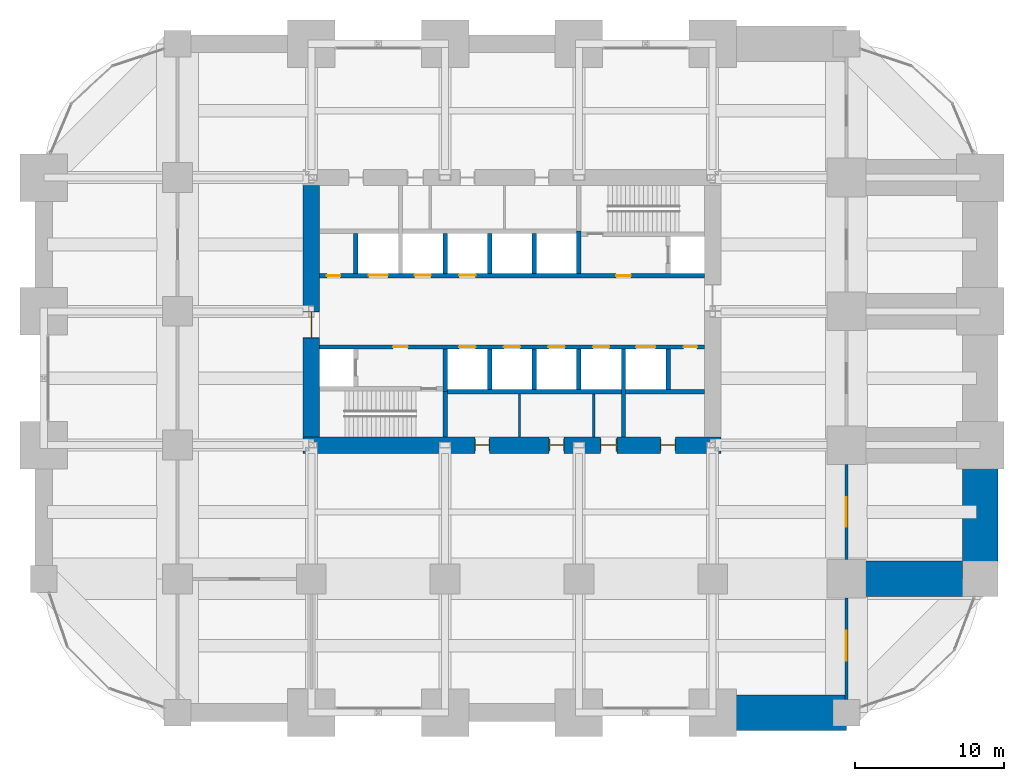
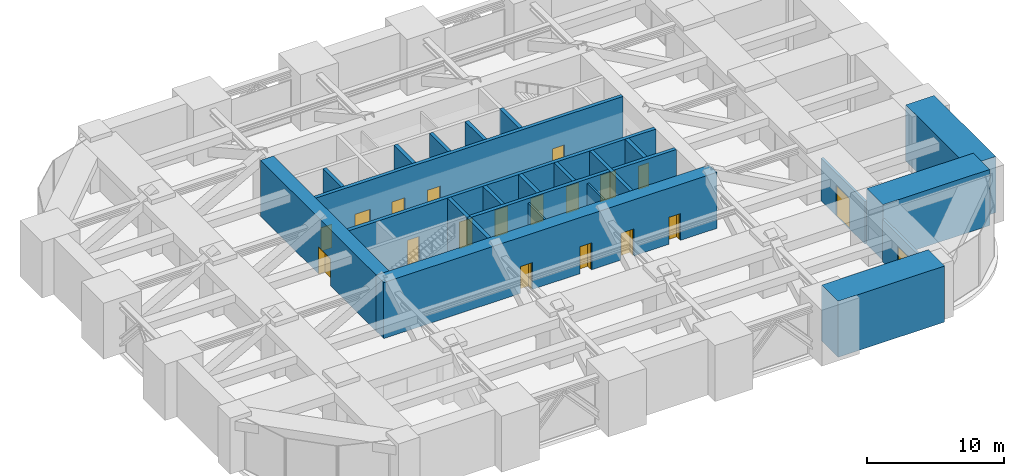
# One storey, part 36 of 38: 24 walls, 19 doors, 19 openings.
"""IFC4 building model written with IfcOpenShell, lengths in metres."""

from ifc_helpers import new_model, si_unit, direction, frame, frame_2d, origin, place, context, subcontext, project, spatial, rectangle, extrude, material, layer, layer_set, type_object, element, fill, save


model = new_model("IFC4")

# Units and contexts
model_context = context("Model", 3, precision=1e-05, world=origin(), true_north=direction((0.0, 1.0)))
body_context = subcontext(model_context, "Body", "Model", "MODEL_VIEW")
ifc_project = project(units=[si_unit("LENGTHUNIT", "METRE"), si_unit("AREAUNIT", "SQUARE_METRE"), si_unit("VOLUMEUNIT", "CUBIC_METRE"), si_unit("PLANEANGLEUNIT", "RADIAN"), si_unit("MASSUNIT", "GRAM", prefix="KILO")], contexts=[model_context])

# Site, building, storey
site_placement = place(None, origin())
site = spatial("IfcSite", under=ifc_project, at=site_placement, CompositionType="ELEMENT")
building_placement = place(site_placement, origin())
building = spatial("IfcBuilding", under=site, at=building_placement, Name="Zorevar Civic Tower", CompositionType="ELEMENT")
storey_placement = place(building_placement, frame((0.0, 0.0, 157.199951171875)))
storey = spatial("IfcBuildingStorey", under=building, at=storey_placement, Name="L38", CompositionType="ELEMENT", Elevation=157.199951171875)

# Wall, opening, door
ifc_material_1 = material(Name="Concrete blockwork", Category="masonry")
ifc_layer_1 = layer(ifc_material_1, 0.199951171875)
ifc_layer_set_1 = layer_set([ifc_layer_1], Name="Blockwork wall 200")
wall_type_1 = type_object("IfcWallType", Name="Blockwork wall 200", PredefinedType="SOLIDWALL", material=ifc_layer_set_1)
wall_1_placement = place(storey_placement, frame((54.0, 0.89990234375, 0.0), z_axis=(0.0, 0.0, 1.0), x_axis=(0.0, 1.0, 0.0)))
wall_1 = element("IfcWall", 1, at=wall_1_placement, inside=storey, type_object=wall_type_1, Name="Blockwork wall 200 L38", PredefinedType="SOLIDWALL", context=body_context, shape_type="SweptSolid", body=[
    extrude(rectangle(XDim=6.800048828125, YDim=0.199951171875, at=frame_2d((3.39990234375, 0.0))), origin(), (0.0, 0.0, 1.0), 3.800048828125),
])
opening_1_placement = place(wall_1_placement, frame((2.60009765625, 0.0, 0.0)))
opening_1 = element("IfcOpeningElement", 2, at=opening_1_placement, cuts=wall_1, Name="Opening L38.18", PredefinedType="OPENING", context=body_context, shape_type="SweptSolid", body=[
    extrude(rectangle(XDim=2.0, YDim=2.699951171875, at=frame_2d((1.0, 1.35009765625))), frame((0.0, 0.10986328125, 0.0), z_axis=(0.0, -1.0, 0.0), x_axis=(1.0, 0.0, 0.0)), (0.0, 0.0, 1.0), 0.219970703125),
])
ifc_material_2 = material(Name="Steel door set", Category="steel")
door_type_1 = type_object("IfcDoorType", Name="Plant room door PD1 2000x2700", OperationType="DOUBLE_DOOR_SINGLE_SWING", PredefinedType="DOOR", material=ifc_material_2)
door_1_placement = place(opening_1_placement, origin())
door_1 = element("IfcDoor", 3, at=door_1_placement, inside=storey, type_object=door_type_1, Name="Door L38 D10", OperationType="DOUBLE_DOOR_SINGLE_SWING", OverallHeight=2.699951171875, OverallWidth=2.0, PredefinedType="DOOR", context=body_context, shape_type="SweptSolid", body=[
    extrude(rectangle(XDim=2.0, YDim=2.699951171875, at=frame_2d((1.0, 1.35009765625))), frame((0.0, 0.030029296875, 0.0), z_axis=(0.0, -1.0, 0.0), x_axis=(1.0, 0.0, 0.0)), (0.0, 0.0, 1.0), 0.06005859375),
])
fill(opening_1, door_1)

wall_2_placement = place(storey_placement, frame((54.0, 10.300048828125, 0.0), z_axis=(0.0, 0.0, 1.0), x_axis=(0.0, 1.0, 0.0)))
wall_2 = element("IfcWall", 4, at=wall_2_placement, inside=storey, type_object=wall_type_1, Name="Blockwork wall 200 L38", PredefinedType="SOLIDWALL", context=body_context, shape_type="SweptSolid", body=[
    extrude(rectangle(XDim=6.39990234375, YDim=0.199951171875, at=frame_2d((3.199951171875, 0.0))), origin(), (0.0, 0.0, 1.0), 3.800048828125),
])
opening_2_placement = place(wall_2_placement, frame((2.199951171875, 0.0, 0.0)))
opening_2 = element("IfcOpeningElement", 5, at=opening_2_placement, cuts=wall_2, Name="Opening L38.19", PredefinedType="OPENING", context=body_context, shape_type="SweptSolid", body=[
    extrude(rectangle(XDim=2.0, YDim=2.699951171875, at=frame_2d((1.0, 1.35009765625))), frame((0.0, 0.10986328125, 0.0), z_axis=(0.0, -1.0, 0.0), x_axis=(1.0, 0.0, 0.0)), (0.0, 0.0, 1.0), 0.219970703125),
])
door_2_placement = place(opening_2_placement, origin())
door_2 = element("IfcDoor", 6, at=door_2_placement, inside=storey, type_object=door_type_1, Name="Door L38 D11", OperationType="DOUBLE_DOOR_SINGLE_SWING", OverallHeight=2.699951171875, OverallWidth=2.0, PredefinedType="DOOR", context=body_context, shape_type="SweptSolid", body=[
    extrude(rectangle(XDim=2.0, YDim=2.699951171875, at=frame_2d((1.0, 1.35009765625))), frame((0.0, 0.030029296875, 0.0), z_axis=(0.0, -1.0, 0.0), x_axis=(1.0, 0.0, 0.0)), (0.0, 0.0, 1.0), 0.06005859375),
])
fill(opening_2, door_2)

# Wall, openings, doors
ifc_material_3 = material(Name="Concrete C50/60", Category="concrete")
ifc_layer_2 = layer(ifc_material_3, 1.10009765625)
ifc_layer_set_2 = layer_set([ifc_layer_2], Name="Core wall 1100")
wall_type_2 = type_object("IfcWallType", Name="Core wall 1100", PredefinedType="SHEAR", material=ifc_layer_set_2)
wall_3_placement = place(storey_placement, frame((17.449951171875, 18.0, 0.0), z_axis=(0.0, 0.0, 1.0), x_axis=(1.0, 0.0, 0.0)))
wall_3 = element("IfcWall", 7, at=wall_3_placement, inside=storey, type_object=wall_type_2, Name="Core wall S L38", PredefinedType="SHEAR", context=body_context, shape_type="SweptSolid", body=[
    extrude(rectangle(XDim=28.10009765625, YDim=1.10009765625, at=frame_2d((14.050048828125, 0.0))), origin(), (0.0, 0.0, 1.0), 5.0),
])
opening_3_placement = place(wall_3_placement, frame((11.550048828125, 0.0, 0.0)))
opening_3 = element("IfcOpeningElement", 8, at=opening_3_placement, cuts=wall_3, Name="Opening L38.03", PredefinedType="OPENING", context=body_context, shape_type="SweptSolid", body=[
    extrude(rectangle(XDim=1.0, YDim=2.39990234375, at=frame_2d((0.5, 1.199951171875))), frame((0.0, 0.56005859375, 0.0), z_axis=(0.0, -1.0, 0.0), x_axis=(1.0, 0.0, 0.0)), (0.0, 0.0, 1.0), 1.1201171875),
])
opening_4_placement = place(wall_3_placement, frame((16.550048828125, 0.0, 0.0)))
opening_4 = element("IfcOpeningElement", 9, at=opening_4_placement, cuts=wall_3, Name="Opening L38.04", PredefinedType="OPENING", context=body_context, shape_type="SweptSolid", body=[
    extrude(rectangle(XDim=1.0, YDim=2.39990234375, at=frame_2d((0.5, 1.199951171875))), frame((0.0, 0.56005859375, 0.0), z_axis=(0.0, -1.0, 0.0), x_axis=(1.0, 0.0, 0.0)), (0.0, 0.0, 1.0), 1.1201171875),
])
opening_5_placement = place(wall_3_placement, frame((20.0, 0.0, 0.0)))
opening_5 = element("IfcOpeningElement", 10, at=opening_5_placement, cuts=wall_3, Name="Opening L38.05", PredefinedType="OPENING", context=body_context, shape_type="SweptSolid", body=[
    extrude(rectangle(XDim=1.10009765625, YDim=2.39990234375, at=frame_2d((0.550048828125, 1.199951171875))), frame((0.0, 0.56005859375, 0.0), z_axis=(0.0, -1.0, 0.0), x_axis=(1.0, 0.0, 0.0)), (0.0, 0.0, 1.0), 1.1201171875),
])
opening_6_placement = place(wall_3_placement, frame((24.050048828125, 0.0, 0.0)))
opening_6 = element("IfcOpeningElement", 11, at=opening_6_placement, cuts=wall_3, Name="Opening L38.06", PredefinedType="OPENING", context=body_context, shape_type="SweptSolid", body=[
    extrude(rectangle(XDim=1.0, YDim=2.39990234375, at=frame_2d((0.5, 1.199951171875))), frame((0.0, 0.56005859375, 0.0), z_axis=(0.0, -1.0, 0.0), x_axis=(1.0, 0.0, 0.0)), (0.0, 0.0, 1.0), 1.1201171875),
])
ifc_material_4 = material(Name="Timber door set", Category="wood")
door_type_2 = type_object("IfcDoorType", Name="Door D1 1000x2400", OperationType="SINGLE_SWING_LEFT", PredefinedType="DOOR", material=ifc_material_4)
door_3_placement = place(opening_3_placement, origin())
door_3 = element("IfcDoor", 12, at=door_3_placement, inside=storey, type_object=door_type_2, Name="Door L38 02", OperationType="SINGLE_SWING_LEFT", OverallHeight=2.39990234375, OverallWidth=1.0, PredefinedType="DOOR", context=body_context, shape_type="SweptSolid", body=[
    extrude(rectangle(XDim=1.0, YDim=2.39990234375, at=frame_2d((0.5, 1.199951171875))), frame((0.0, 0.02490234375, 0.0), z_axis=(0.0, -1.0, 0.0), x_axis=(1.0, 0.0, 0.0)), (0.0, 0.0, 1.0), 0.050048828125),
    extrude(rectangle(XDim=0.04, YDim=2.39990234375, at=frame_2d((0.02001953125, 1.199951171875))), frame((0.0, 0.39990234375, 0.0), z_axis=(0.0, -1.0, 0.0), x_axis=(1.0, 0.0, 0.0)), (0.0, 0.0, 1.0), 0.800048828125),
    extrude(rectangle(XDim=0.04, YDim=2.39990234375, at=frame_2d((0.97998046875, 1.199951171875))), frame((0.0, 0.39990234375, 0.0), z_axis=(0.0, -1.0, 0.0), x_axis=(1.0, 0.0, 0.0)), (0.0, 0.0, 1.0), 0.800048828125),
    extrude(rectangle(XDim=1.0, YDim=0.04, at=frame_2d((0.5, 2.3798828125))), frame((0.0, 0.39990234375, 0.0), z_axis=(0.0, -1.0, 0.0), x_axis=(1.0, 0.0, 0.0)), (0.0, 0.0, 1.0), 0.800048828125),
])
fill(opening_3, door_3)
door_4_placement = place(opening_4_placement, origin())
door_4 = element("IfcDoor", 13, at=door_4_placement, inside=storey, type_object=door_type_2, Name="Door L38 03", OperationType="SINGLE_SWING_RIGHT", OverallHeight=2.39990234375, OverallWidth=1.0, PredefinedType="DOOR", context=body_context, shape_type="SweptSolid", body=[
    extrude(rectangle(XDim=1.0, YDim=2.39990234375, at=frame_2d((0.5, 1.199951171875))), frame((0.0, 0.02490234375, 0.0), z_axis=(0.0, -1.0, 0.0), x_axis=(1.0, 0.0, 0.0)), (0.0, 0.0, 1.0), 0.050048828125),
    extrude(rectangle(XDim=0.04, YDim=2.39990234375, at=frame_2d((0.02001953125, 1.199951171875))), frame((0.0, 0.39990234375, 0.0), z_axis=(0.0, -1.0, 0.0), x_axis=(1.0, 0.0, 0.0)), (0.0, 0.0, 1.0), 0.800048828125),
    extrude(rectangle(XDim=0.04, YDim=2.39990234375, at=frame_2d((0.97998046875, 1.199951171875))), frame((0.0, 0.39990234375, 0.0), z_axis=(0.0, -1.0, 0.0), x_axis=(1.0, 0.0, 0.0)), (0.0, 0.0, 1.0), 0.800048828125),
    extrude(rectangle(XDim=1.0, YDim=0.04, at=frame_2d((0.5, 2.3798828125))), frame((0.0, 0.39990234375, 0.0), z_axis=(0.0, -1.0, 0.0), x_axis=(1.0, 0.0, 0.0)), (0.0, 0.0, 1.0), 0.800048828125),
])
fill(opening_4, door_4)
door_5_placement = place(opening_6_placement, origin())
door_5 = element("IfcDoor", 14, at=door_5_placement, inside=storey, type_object=door_type_2, Name="Door L38 05", OperationType="SINGLE_SWING_RIGHT", OverallHeight=2.39990234375, OverallWidth=1.0, PredefinedType="DOOR", context=body_context, shape_type="SweptSolid", body=[
    extrude(rectangle(XDim=1.0, YDim=2.39990234375, at=frame_2d((0.5, 1.199951171875))), frame((0.0, 0.02490234375, 0.0), z_axis=(0.0, -1.0, 0.0), x_axis=(1.0, 0.0, 0.0)), (0.0, 0.0, 1.0), 0.050048828125),
    extrude(rectangle(XDim=0.04, YDim=2.39990234375, at=frame_2d((0.02001953125, 1.199951171875))), frame((0.0, 0.39990234375, 0.0), z_axis=(0.0, -1.0, 0.0), x_axis=(1.0, 0.0, 0.0)), (0.0, 0.0, 1.0), 0.800048828125),
    extrude(rectangle(XDim=0.04, YDim=2.39990234375, at=frame_2d((0.97998046875, 1.199951171875))), frame((0.0, 0.39990234375, 0.0), z_axis=(0.0, -1.0, 0.0), x_axis=(1.0, 0.0, 0.0)), (0.0, 0.0, 1.0), 0.800048828125),
    extrude(rectangle(XDim=1.0, YDim=0.04, at=frame_2d((0.5, 2.3798828125))), frame((0.0, 0.39990234375, 0.0), z_axis=(0.0, -1.0, 0.0), x_axis=(1.0, 0.0, 0.0)), (0.0, 0.0, 1.0), 0.800048828125),
])
fill(opening_6, door_5)
ifc_material_5 = material(Name="Timber door set", Category="wood")
door_type_3 = type_object("IfcDoorType", Name="Door D5 1100x2400", OperationType="SINGLE_SWING_LEFT", PredefinedType="DOOR", material=ifc_material_5)
door_6_placement = place(opening_5_placement, origin())
door_6 = element("IfcDoor", 15, at=door_6_placement, inside=storey, type_object=door_type_3, Name="Door L38 04", OperationType="SINGLE_SWING_RIGHT", OverallHeight=2.39990234375, OverallWidth=1.10009765625, PredefinedType="DOOR", context=body_context, shape_type="SweptSolid", body=[
    extrude(rectangle(XDim=1.10009765625, YDim=2.39990234375, at=frame_2d((0.550048828125, 1.199951171875))), frame((0.0, 0.02490234375, 0.0), z_axis=(0.0, -1.0, 0.0), x_axis=(1.0, 0.0, 0.0)), (0.0, 0.0, 1.0), 0.050048828125),
    extrude(rectangle(XDim=0.04, YDim=2.39990234375, at=frame_2d((0.02001953125, 1.199951171875))), frame((0.0, 0.43994140625, 0.0), z_axis=(0.0, -1.0, 0.0), x_axis=(1.0, 0.0, 0.0)), (0.0, 0.0, 1.0), 0.880126953125),
    extrude(rectangle(XDim=0.04, YDim=2.39990234375, at=frame_2d((1.080078125, 1.199951171875))), frame((0.0, 0.43994140625, 0.0), z_axis=(0.0, -1.0, 0.0), x_axis=(1.0, 0.0, 0.0)), (0.0, 0.0, 1.0), 0.880126953125),
    extrude(rectangle(XDim=1.10009765625, YDim=0.04, at=frame_2d((0.550048828125, 2.3798828125))), frame((0.0, 0.43994140625, 0.0), z_axis=(0.0, -1.0, 0.0), x_axis=(1.0, 0.0, 0.0)), (0.0, 0.0, 1.0), 0.880126953125),
])
fill(opening_5, door_6)

# Wall, opening, door
wall_4_placement = place(storey_placement, frame((18.0, 35.449951171875, 0.0), z_axis=(0.0, 0.0, 1.0), x_axis=(0.0, -1.0, 0.0)))
wall_4 = element("IfcWall", 16, at=wall_4_placement, inside=storey, type_object=wall_type_2, Name="Core wall W L38", PredefinedType="SHEAR", context=body_context, shape_type="SweptSolid", body=[
    extrude(rectangle(XDim=16.89990234375, YDim=1.10009765625, at=frame_2d((8.449951171875, 0.0))), origin(), (0.0, 0.0, 1.0), 5.0),
])
opening_7_placement = place(wall_4_placement, frame((8.449951171875, 0.0, 0.0)))
opening_7 = element("IfcOpeningElement", 17, at=opening_7_placement, cuts=wall_4, Name="Opening L38.01", PredefinedType="OPENING", context=body_context, shape_type="SweptSolid", body=[
    extrude(rectangle(XDim=1.800048828125, YDim=2.39990234375, at=frame_2d((0.89990234375, 1.199951171875))), frame((0.0, 0.56005859375, 0.0), z_axis=(0.0, -1.0, 0.0), x_axis=(1.0, 0.0, 0.0)), (0.0, 0.0, 1.0), 1.1201171875),
])
ifc_material_6 = material(Name="Steel door set", Category="steel")
door_type_4 = type_object("IfcDoorType", Name="Fire door FD2 1800x2400", OperationType="DOUBLE_DOOR_DOUBLE_SWING", PredefinedType="DOOR", material=ifc_material_6)
door_7_placement = place(opening_7_placement, origin())
door_7 = element("IfcDoor", 18, at=door_7_placement, inside=storey, type_object=door_type_4, Name="Door L38 00", OperationType="DOUBLE_DOOR_DOUBLE_SWING", OverallHeight=2.39990234375, OverallWidth=1.800048828125, PredefinedType="DOOR", context=body_context, shape_type="SweptSolid", body=[
    extrude(rectangle(XDim=1.800048828125, YDim=2.39990234375, at=frame_2d((0.89990234375, 1.199951171875))), frame((0.0, 0.030029296875, 0.0), z_axis=(0.0, -1.0, 0.0), x_axis=(1.0, 0.0, 0.0)), (0.0, 0.0, 1.0), 0.06005859375),
    extrude(rectangle(XDim=0.04, YDim=2.39990234375, at=frame_2d((0.02001953125, 1.199951171875))), frame((0.0, 0.5498046875, 0.0), z_axis=(0.0, -1.0, 0.0), x_axis=(1.0, 0.0, 0.0)), (0.0, 0.0, 1.0), 1.099609375),
    extrude(rectangle(XDim=0.04, YDim=2.39990234375, at=frame_2d((1.780029296875, 1.199951171875))), frame((0.0, 0.5498046875, 0.0), z_axis=(0.0, -1.0, 0.0), x_axis=(1.0, 0.0, 0.0)), (0.0, 0.0, 1.0), 1.099609375),
    extrude(rectangle(XDim=1.800048828125, YDim=0.04, at=frame_2d((0.89990234375, 2.3798828125))), frame((0.0, 0.5498046875, 0.0), z_axis=(0.0, -1.0, 0.0), x_axis=(1.0, 0.0, 0.0)), (0.0, 0.0, 1.0), 1.099609375),
])
fill(opening_7, door_7)

# Wall
ifc_material_7 = material(Name="Concrete C40/50", Category="concrete")
ifc_layer_3 = layer(ifc_material_7, 0.300048828125)
ifc_layer_set_3 = layer_set([ifc_layer_3], Name="Inner core wall 300")
wall_type_3 = type_object("IfcWallType", Name="Inner core wall 300", PredefinedType="SHEAR", material=ifc_layer_set_3)
wall_5_placement = place(storey_placement, frame((27.0, 18.550048828125, 0.0), z_axis=(0.0, 0.0, 1.0), x_axis=(0.0, 1.0, 0.0)))
element("IfcWall", 19, at=wall_5_placement, inside=storey, type_object=wall_type_3, Name="Inner core wall S01 L38", PredefinedType="SHEAR", context=body_context, shape_type="SweptSolid", body=[
    extrude(rectangle(XDim=3.050048828125, YDim=0.300048828125, at=frame_2d((1.52490234375, 0.0))), origin(), (0.0, 0.0, 1.0), 5.0),
])

# Wall, openings, doors
wall_6_placement = place(storey_placement, frame((18.550048828125, 24.60009765625, 0.0), z_axis=(0.0, 0.0, 1.0), x_axis=(1.0, 0.0, 0.0)))
wall_6 = element("IfcWall", 20, at=wall_6_placement, inside=storey, type_object=wall_type_3, Name="Inner core wall S03 L38", PredefinedType="SHEAR", context=body_context, shape_type="SweptSolid", body=[
    extrude(rectangle(XDim=25.89990234375, YDim=0.300048828125, at=frame_2d((12.949951171875, 0.0))), origin(), (0.0, 0.0, 1.0), 5.0),
])
opening_8_placement = place(wall_6_placement, frame((4.949951171875, 0.0, 0.0)))
opening_8 = element("IfcOpeningElement", 21, at=opening_8_placement, cuts=wall_6, Name="Opening L38.13", PredefinedType="OPENING", context=body_context, shape_type="SweptSolid", body=[
    extrude(rectangle(XDim=1.0, YDim=2.39990234375, at=frame_2d((0.5, 1.199951171875))), frame((0.0, 0.159912109375, 0.0), z_axis=(0.0, -1.0, 0.0), x_axis=(1.0, 0.0, 0.0)), (0.0, 0.0, 1.0), 0.320068359375),
])
opening_9_placement = place(wall_6_placement, frame((24.5, 0.0, 0.0)))
opening_9 = element("IfcOpeningElement", 22, at=opening_9_placement, cuts=wall_6, Name="Opening L38.15", PredefinedType="OPENING", context=body_context, shape_type="SweptSolid", body=[
    extrude(rectangle(XDim=0.89990234375, YDim=2.10009765625, at=frame_2d((0.449951171875, 1.050048828125))), frame((0.0, 0.159912109375, 0.0), z_axis=(0.0, -1.0, 0.0), x_axis=(1.0, 0.0, 0.0)), (0.0, 0.0, 1.0), 0.320068359375),
])
opening_10_placement = place(wall_6_placement, frame((9.39990234375, 0.0, 0.0)))
opening_10 = element("IfcOpeningElement", 23, at=opening_10_placement, cuts=wall_6, Name="Opening L38.LT1", PredefinedType="OPENING", context=body_context, shape_type="SweptSolid", body=[
    extrude(rectangle(XDim=1.10009765625, YDim=2.39990234375, at=frame_2d((0.550048828125, 1.199951171875))), frame((0.0, 0.159912109375, 0.0), z_axis=(0.0, -1.0, 0.0), x_axis=(1.0, 0.0, 0.0)), (0.0, 0.0, 1.0), 0.320068359375),
])
opening_11_placement = place(wall_6_placement, frame((12.39990234375, 0.0, 0.0)))
opening_11 = element("IfcOpeningElement", 24, at=opening_11_placement, cuts=wall_6, Name="Opening L38.LT2", PredefinedType="OPENING", context=body_context, shape_type="SweptSolid", body=[
    extrude(rectangle(XDim=1.10009765625, YDim=2.39990234375, at=frame_2d((0.550048828125, 1.199951171875))), frame((0.0, 0.159912109375, 0.0), z_axis=(0.0, -1.0, 0.0), x_axis=(1.0, 0.0, 0.0)), (0.0, 0.0, 1.0), 0.320068359375),
])
opening_12_placement = place(wall_6_placement, frame((15.39990234375, 0.0, 0.0)))
opening_12 = element("IfcOpeningElement", 25, at=opening_12_placement, cuts=wall_6, Name="Opening L38.LT3", PredefinedType="OPENING", context=body_context, shape_type="SweptSolid", body=[
    extrude(rectangle(XDim=1.10009765625, YDim=2.39990234375, at=frame_2d((0.550048828125, 1.199951171875))), frame((0.0, 0.159912109375, 0.0), z_axis=(0.0, -1.0, 0.0), x_axis=(1.0, 0.0, 0.0)), (0.0, 0.0, 1.0), 0.320068359375),
])
opening_13_placement = place(wall_6_placement, frame((18.39990234375, 0.0, 0.0)))
opening_13 = element("IfcOpeningElement", 26, at=opening_13_placement, cuts=wall_6, Name="Opening L38.LT4", PredefinedType="OPENING", context=body_context, shape_type="SweptSolid", body=[
    extrude(rectangle(XDim=1.10009765625, YDim=2.39990234375, at=frame_2d((0.550048828125, 1.199951171875))), frame((0.0, 0.159912109375, 0.0), z_axis=(0.0, -1.0, 0.0), x_axis=(1.0, 0.0, 0.0)), (0.0, 0.0, 1.0), 0.320068359375),
])
opening_14_placement = place(wall_6_placement, frame((21.300048828125, 0.0, 0.0)))
opening_14 = element("IfcOpeningElement", 27, at=opening_14_placement, cuts=wall_6, Name="Opening L38.SL1", PredefinedType="OPENING", context=body_context, shape_type="SweptSolid", body=[
    extrude(rectangle(XDim=1.300048828125, YDim=2.39990234375, at=frame_2d((0.64990234375, 1.199951171875))), frame((0.0, 0.159912109375, 0.0), z_axis=(0.0, -1.0, 0.0), x_axis=(1.0, 0.0, 0.0)), (0.0, 0.0, 1.0), 0.320068359375),
])
ifc_material_8 = material(Name="Steel door set", Category="steel")
door_type_5 = type_object("IfcDoorType", Name="Fire door FD1 1000x2400", OperationType="SINGLE_SWING_LEFT", PredefinedType="DOOR", material=ifc_material_8)
door_8_placement = place(opening_8_placement, origin())
door_8 = element("IfcDoor", 28, at=door_8_placement, inside=storey, type_object=door_type_5, Name="Door L38 12", OperationType="SINGLE_SWING_RIGHT", OverallHeight=2.39990234375, OverallWidth=1.0, PredefinedType="DOOR", context=body_context, shape_type="SweptSolid", body=[
    extrude(rectangle(XDim=1.0, YDim=2.39990234375, at=frame_2d((0.5, 1.199951171875))), frame((0.0, 0.030029296875, 0.0), z_axis=(0.0, -1.0, 0.0), x_axis=(1.0, 0.0, 0.0)), (0.0, 0.0, 1.0), 0.06005859375),
])
fill(opening_8, door_8)
ifc_material_9 = material(Name="Steel door set", Category="steel")
door_type_6 = type_object("IfcDoorType", Name="Landing door LD1 1100x2400", OperationType="DOUBLE_DOOR_SLIDING", PredefinedType="DOOR", material=ifc_material_9)
door_9_placement = place(opening_10_placement, origin())
door_9 = element("IfcDoor", 29, at=door_9_placement, inside=storey, type_object=door_type_6, Name="Landing door LT1 L38", OperationType="DOUBLE_DOOR_SLIDING", OverallHeight=2.39990234375, OverallWidth=1.10009765625, PredefinedType="DOOR", context=body_context, shape_type="SweptSolid", body=[
    extrude(rectangle(XDim=1.10009765625, YDim=2.39990234375, at=frame_2d((0.550048828125, 1.199951171875))), frame((0.0, 0.02001953125, 0.0), z_axis=(0.0, -1.0, 0.0), x_axis=(1.0, 0.0, 0.0)), (0.0, 0.0, 1.0), 0.0400390625),
])
fill(opening_10, door_9)
door_10_placement = place(opening_11_placement, origin())
door_10 = element("IfcDoor", 30, at=door_10_placement, inside=storey, type_object=door_type_6, Name="Landing door LT2 L38", OperationType="DOUBLE_DOOR_SLIDING", OverallHeight=2.39990234375, OverallWidth=1.10009765625, PredefinedType="DOOR", context=body_context, shape_type="SweptSolid", body=[
    extrude(rectangle(XDim=1.10009765625, YDim=2.39990234375, at=frame_2d((0.550048828125, 1.199951171875))), frame((0.0, 0.02001953125, 0.0), z_axis=(0.0, -1.0, 0.0), x_axis=(1.0, 0.0, 0.0)), (0.0, 0.0, 1.0), 0.0400390625),
])
fill(opening_11, door_10)
door_11_placement = place(opening_12_placement, origin())
door_11 = element("IfcDoor", 31, at=door_11_placement, inside=storey, type_object=door_type_6, Name="Landing door LT3 L38", OperationType="DOUBLE_DOOR_SLIDING", OverallHeight=2.39990234375, OverallWidth=1.10009765625, PredefinedType="DOOR", context=body_context, shape_type="SweptSolid", body=[
    extrude(rectangle(XDim=1.10009765625, YDim=2.39990234375, at=frame_2d((0.550048828125, 1.199951171875))), frame((0.0, 0.02001953125, 0.0), z_axis=(0.0, -1.0, 0.0), x_axis=(1.0, 0.0, 0.0)), (0.0, 0.0, 1.0), 0.0400390625),
])
fill(opening_12, door_11)
door_12_placement = place(opening_13_placement, origin())
door_12 = element("IfcDoor", 32, at=door_12_placement, inside=storey, type_object=door_type_6, Name="Landing door LT4 L38", OperationType="DOUBLE_DOOR_SLIDING", OverallHeight=2.39990234375, OverallWidth=1.10009765625, PredefinedType="DOOR", context=body_context, shape_type="SweptSolid", body=[
    extrude(rectangle(XDim=1.10009765625, YDim=2.39990234375, at=frame_2d((0.550048828125, 1.199951171875))), frame((0.0, 0.02001953125, 0.0), z_axis=(0.0, -1.0, 0.0), x_axis=(1.0, 0.0, 0.0)), (0.0, 0.0, 1.0), 0.0400390625),
])
fill(opening_13, door_12)
ifc_material_10 = material(Name="Steel door set", Category="steel")
door_type_7 = type_object("IfcDoorType", Name="Landing door LD2 1300x2400", OperationType="DOUBLE_DOOR_SLIDING", PredefinedType="DOOR", material=ifc_material_10)
door_13_placement = place(opening_14_placement, origin())
door_13 = element("IfcDoor", 33, at=door_13_placement, inside=storey, type_object=door_type_7, Name="Landing door SL1 L38", OperationType="DOUBLE_DOOR_SLIDING", OverallHeight=2.39990234375, OverallWidth=1.300048828125, PredefinedType="DOOR", context=body_context, shape_type="SweptSolid", body=[
    extrude(rectangle(XDim=1.300048828125, YDim=2.39990234375, at=frame_2d((0.64990234375, 1.199951171875))), frame((0.0, 0.02001953125, 0.0), z_axis=(0.0, -1.0, 0.0), x_axis=(1.0, 0.0, 0.0)), (0.0, 0.0, 1.0), 0.0400390625),
])
fill(opening_14, door_13)
ifc_material_11 = material(Name="Steel door set", Category="steel")
door_type_8 = type_object("IfcDoorType", Name="Riser door RD1 900x2100", OperationType="SINGLE_SWING_LEFT", PredefinedType="DOOR", material=ifc_material_11)
door_14_placement = place(opening_9_placement, origin())
door_14 = element("IfcDoor", 34, at=door_14_placement, inside=storey, type_object=door_type_8, Name="Door L38 14", OperationType="SINGLE_SWING_RIGHT", OverallHeight=2.10009765625, OverallWidth=0.89990234375, PredefinedType="DOOR", context=body_context, shape_type="SweptSolid", body=[
    extrude(rectangle(XDim=0.89990234375, YDim=2.10009765625, at=frame_2d((0.449951171875, 1.050048828125))), frame((0.0, 0.030029296875, 0.0), z_axis=(0.0, -1.0, 0.0), x_axis=(1.0, 0.0, 0.0)), (0.0, 0.0, 1.0), 0.06005859375),
])
fill(opening_9, door_14)

wall_7_placement = place(storey_placement, frame((18.550048828125, 29.39990234375, 0.0), z_axis=(0.0, 0.0, 1.0), x_axis=(1.0, 0.0, 0.0)))
wall_7 = element("IfcWall", 35, at=wall_7_placement, inside=storey, type_object=wall_type_3, Name="Inner core wall N03 L38", PredefinedType="SHEAR", context=body_context, shape_type="SweptSolid", body=[
    extrude(rectangle(XDim=25.89990234375, YDim=0.300048828125, at=frame_2d((12.949951171875, 0.0))), origin(), (0.0, 0.0, 1.0), 5.0),
])
opening_15_placement = place(wall_7_placement, frame((19.949951171875, 0.0, 0.0)))
opening_15 = element("IfcOpeningElement", 36, at=opening_15_placement, cuts=wall_7, Name="Opening L38.14", PredefinedType="OPENING", context=body_context, shape_type="SweptSolid", body=[
    extrude(rectangle(XDim=1.0, YDim=2.39990234375, at=frame_2d((0.5, 1.199951171875))), frame((0.0, 0.159912109375, 0.0), z_axis=(0.0, -1.0, 0.0), x_axis=(1.0, 0.0, 0.0)), (0.0, 0.0, 1.0), 0.320068359375),
])
opening_16_placement = place(wall_7_placement, frame((0.5, 0.0, 0.0)))
opening_16 = element("IfcOpeningElement", 37, at=opening_16_placement, cuts=wall_7, Name="Opening L38.16", PredefinedType="OPENING", context=body_context, shape_type="SweptSolid", body=[
    extrude(rectangle(XDim=0.89990234375, YDim=2.10009765625, at=frame_2d((0.449951171875, 1.050048828125))), frame((0.0, 0.159912109375, 0.0), z_axis=(0.0, -1.0, 0.0), x_axis=(1.0, 0.0, 0.0)), (0.0, 0.0, 1.0), 0.320068359375),
])
opening_17_placement = place(wall_7_placement, frame((9.39990234375, 0.0, 0.0)))
opening_17 = element("IfcOpeningElement", 38, at=opening_17_placement, cuts=wall_7, Name="Opening L38.LH1", PredefinedType="OPENING", context=body_context, shape_type="SweptSolid", body=[
    extrude(rectangle(XDim=1.10009765625, YDim=2.39990234375, at=frame_2d((0.550048828125, 1.199951171875))), frame((0.0, 0.159912109375, 0.0), z_axis=(0.0, -1.0, 0.0), x_axis=(1.0, 0.0, 0.0)), (0.0, 0.0, 1.0), 0.320068359375),
])
opening_18_placement = place(wall_7_placement, frame((6.39990234375, 0.0, 0.0)))
opening_18 = element("IfcOpeningElement", 39, at=opening_18_placement, cuts=wall_7, Name="Opening L38.LH2", PredefinedType="OPENING", context=body_context, shape_type="SweptSolid", body=[
    extrude(rectangle(XDim=1.10009765625, YDim=2.39990234375, at=frame_2d((0.550048828125, 1.199951171875))), frame((0.0, 0.159912109375, 0.0), z_axis=(0.0, -1.0, 0.0), x_axis=(1.0, 0.0, 0.0)), (0.0, 0.0, 1.0), 0.320068359375),
])
opening_19_placement = place(wall_7_placement, frame((3.300048828125, 0.0, 0.0)))
opening_19 = element("IfcOpeningElement", 40, at=opening_19_placement, cuts=wall_7, Name="Opening L38.SL2", PredefinedType="OPENING", context=body_context, shape_type="SweptSolid", body=[
    extrude(rectangle(XDim=1.300048828125, YDim=2.39990234375, at=frame_2d((0.64990234375, 1.199951171875))), frame((0.0, 0.159912109375, 0.0), z_axis=(0.0, -1.0, 0.0), x_axis=(1.0, 0.0, 0.0)), (0.0, 0.0, 1.0), 0.320068359375),
])
door_15_placement = place(opening_15_placement, origin())
door_15 = element("IfcDoor", 41, at=door_15_placement, inside=storey, type_object=door_type_5, Name="Door L38 13", OperationType="SINGLE_SWING_RIGHT", OverallHeight=2.39990234375, OverallWidth=1.0, PredefinedType="DOOR", context=body_context, shape_type="SweptSolid", body=[
    extrude(rectangle(XDim=1.0, YDim=2.39990234375, at=frame_2d((0.5, 1.199951171875))), frame((0.0, 0.030029296875, 0.0), z_axis=(0.0, -1.0, 0.0), x_axis=(1.0, 0.0, 0.0)), (0.0, 0.0, 1.0), 0.06005859375),
])
fill(opening_15, door_15)
door_16_placement = place(opening_17_placement, origin())
door_16 = element("IfcDoor", 42, at=door_16_placement, inside=storey, type_object=door_type_6, Name="Landing door LH1 L38", OperationType="DOUBLE_DOOR_SLIDING", OverallHeight=2.39990234375, OverallWidth=1.10009765625, PredefinedType="DOOR", context=body_context, shape_type="SweptSolid", body=[
    extrude(rectangle(XDim=1.10009765625, YDim=2.39990234375, at=frame_2d((0.550048828125, 1.199951171875))), frame((0.0, 0.02001953125, 0.0), z_axis=(0.0, -1.0, 0.0), x_axis=(1.0, 0.0, 0.0)), (0.0, 0.0, 1.0), 0.0400390625),
])
fill(opening_17, door_16)
door_17_placement = place(opening_18_placement, origin())
door_17 = element("IfcDoor", 43, at=door_17_placement, inside=storey, type_object=door_type_6, Name="Landing door LH2 L38", OperationType="DOUBLE_DOOR_SLIDING", OverallHeight=2.39990234375, OverallWidth=1.10009765625, PredefinedType="DOOR", context=body_context, shape_type="SweptSolid", body=[
    extrude(rectangle(XDim=1.10009765625, YDim=2.39990234375, at=frame_2d((0.550048828125, 1.199951171875))), frame((0.0, 0.02001953125, 0.0), z_axis=(0.0, -1.0, 0.0), x_axis=(1.0, 0.0, 0.0)), (0.0, 0.0, 1.0), 0.0400390625),
])
fill(opening_18, door_17)
door_18_placement = place(opening_19_placement, origin())
door_18 = element("IfcDoor", 44, at=door_18_placement, inside=storey, type_object=door_type_7, Name="Landing door SL2 L38", OperationType="DOUBLE_DOOR_SLIDING", OverallHeight=2.39990234375, OverallWidth=1.300048828125, PredefinedType="DOOR", context=body_context, shape_type="SweptSolid", body=[
    extrude(rectangle(XDim=1.300048828125, YDim=2.39990234375, at=frame_2d((0.64990234375, 1.199951171875))), frame((0.0, 0.02001953125, 0.0), z_axis=(0.0, -1.0, 0.0), x_axis=(1.0, 0.0, 0.0)), (0.0, 0.0, 1.0), 0.0400390625),
])
fill(opening_19, door_18)
door_19_placement = place(opening_16_placement, origin())
door_19 = element("IfcDoor", 45, at=door_19_placement, inside=storey, type_object=door_type_8, Name="Door L38 15", OperationType="SINGLE_SWING_RIGHT", OverallHeight=2.10009765625, OverallWidth=0.89990234375, PredefinedType="DOOR", context=body_context, shape_type="SweptSolid", body=[
    extrude(rectangle(XDim=0.89990234375, YDim=2.10009765625, at=frame_2d((0.449951171875, 1.050048828125))), frame((0.0, 0.030029296875, 0.0), z_axis=(0.0, -1.0, 0.0), x_axis=(1.0, 0.0, 0.0)), (0.0, 0.0, 1.0), 0.06005859375),
])
fill(opening_16, door_19)

# Walls
wall_8_placement = place(storey_placement, frame((27.14990234375, 21.60009765625, 0.0), z_axis=(0.0, 0.0, 1.0), x_axis=(1.0, 0.0, 0.0)))
element("IfcWall", 46, at=wall_8_placement, inside=storey, type_object=wall_type_3, Name="Inner core wall S04 L38", PredefinedType="SHEAR", context=body_context, shape_type="SweptSolid", body=[
    extrude(rectangle(XDim=17.300048828125, YDim=0.300048828125, at=frame_2d((8.64990234375, 0.0))), origin(), (0.0, 0.0, 1.0), 5.0),
])
for number, where, z_axis, x_axis, name in (
    (47, (30.0, 21.75, 0.0), (0.0, 0.0, 1.0), (0.0, 1.0, 0.0), "Inner core wall S05 L38"),
    (48, (33.0, 29.550048828125, 0.0), (0.0, 0.0, 1.0), (0.0, 1.0, 0.0), "Inner core wall N05 L38"),
    (49, (33.0, 21.75, 0.0), (0.0, 0.0, 1.0), (0.0, 1.0, 0.0), "Inner core wall S06 L38"),
    (50, (30.0, 29.550048828125, 0.0), (0.0, 0.0, 1.0), (0.0, 1.0, 0.0), "Inner core wall N06 L38"),
    (51, (36.0, 21.75, 0.0), (0.0, 0.0, 1.0), (0.0, 1.0, 0.0), "Inner core wall S07 L38"),
    (52, (27.0, 29.550048828125, 0.0), (0.0, 0.0, 1.0), (0.0, 1.0, 0.0), "Inner core wall N07 L38"),
):
    element("IfcWall", number, at=place(storey_placement, frame(where, z_axis=z_axis, x_axis=x_axis)), inside=storey, type_object=wall_type_3, Name=name, PredefinedType="SHEAR", context=body_context, shape_type="SweptSolid", body=[
        extrude(rectangle(XDim=2.699951171875, YDim=0.300048828125, at=frame_2d((1.35009765625, 0.0))), origin(), (0.0, 0.0, 1.0), 5.0),
    ])
wall_9_placement = place(storey_placement, frame((39.0, 18.550048828125, 0.0), z_axis=(0.0, 0.0, 1.0), x_axis=(0.0, 1.0, 0.0)))
element("IfcWall", 53, at=wall_9_placement, inside=storey, type_object=wall_type_3, Name="Inner core wall S08 L38", PredefinedType="SHEAR", context=body_context, shape_type="SweptSolid", body=[
    extrude(rectangle(XDim=5.89990234375, YDim=0.300048828125, at=frame_2d((2.949951171875, 0.0))), origin(), (0.0, 0.0, 1.0), 5.0),
])
for number, where, z_axis, x_axis, name in (
    (54, (42.0, 21.75, 0.0), (0.0, 0.0, 1.0), (0.0, 1.0, 0.0), "Inner core wall S09 L38"),
    (55, (21.0, 29.550048828125, 0.0), (0.0, 0.0, 1.0), (0.0, 1.0, 0.0), "Inner core wall N09 L38"),
):
    element("IfcWall", number, at=place(storey_placement, frame(where, z_axis=z_axis, x_axis=x_axis)), inside=storey, type_object=wall_type_3, Name=name, PredefinedType="SHEAR", context=body_context, shape_type="SweptSolid", body=[
        extrude(rectangle(XDim=2.699951171875, YDim=0.300048828125, at=frame_2d((1.35009765625, 0.0))), origin(), (0.0, 0.0, 1.0), 5.0),
    ])
for number, where, z_axis, x_axis, name in (
    (56, (27.0, 21.60009765625, 0.0), (0.0, 0.0, 1.0), (0.0, 1.0, 0.0), "Inner core wall S10 L38"),
    (57, (36.0, 29.550048828125, 0.0), (0.0, 0.0, 1.0), (0.0, 1.0, 0.0), "Inner core wall N10 L38"),
):
    element("IfcWall", number, at=place(storey_placement, frame(where, z_axis=z_axis, x_axis=x_axis)), inside=storey, type_object=wall_type_3, Name=name, PredefinedType="SHEAR", context=body_context, shape_type="SweptSolid", body=[
        extrude(rectangle(XDim=2.849853515625, YDim=0.300048828125, at=frame_2d((1.4248046875, 0.0))), origin(), (0.0, 0.0, 1.0), 5.0),
    ])
ifc_material_12 = material(Name="Concrete C50/60", Category="concrete")
ifc_layer_4 = layer(ifc_material_12, 2.39990234375)
ifc_layer_set_4 = layer_set([ifc_layer_4], Name="Setback tie wall 2400")
wall_type_4 = type_object("IfcWallType", Name="Setback tie wall 2400", PredefinedType="SHEAR", material=ifc_layer_set_4)
for number, where, z_axis, x_axis, name in (
    (58, (45.0, 0.0, 0.0), (0.0, 0.0, 1.0), (1.0, 0.0, 0.0), "Setback belt wall S L38"),
    (59, (63.0, 9.0, 0.0), (0.0, 0.0, 1.0), (0.0, 1.0, 0.0), "Setback belt wall E L38"),
    (60, (54.0, 9.0, 0.0), (0.0, 0.0, 1.0), (1.0, 0.0, 0.0), "Setback tie wall L38"),
):
    element("IfcWall", number, at=place(storey_placement, frame(where, z_axis=z_axis, x_axis=x_axis)), inside=storey, type_object=wall_type_4, Name=name, PredefinedType="SHEAR", context=body_context, shape_type="SweptSolid", body=[
        extrude(rectangle(XDim=9.0, YDim=2.39990234375, at=frame_2d((4.5, 0.0))), origin(), (0.0, 0.0, 1.0), 5.0),
    ])
ifc_material_13 = material(Name="Gypsum board on steel studs, moisture resistant", Category="steel")
ifc_layer_5 = layer(ifc_material_13, 0.14990234375)
ifc_layer_set_5 = layer_set([ifc_layer_5], Name="WC partition 150")
wall_type_5 = type_object("IfcWallType", Name="WC partition 150", PredefinedType="PARTITIONING", material=ifc_layer_set_5)
for number, where, z_axis, x_axis, name in (
    (61, (32.0, 18.550048828125, 0.0), (0.0, 0.0, 1.0), (0.0, 1.0, 0.0), "WC partition L38"),
    (62, (37.0, 18.550048828125, 0.0), (0.0, 0.0, 1.0), (0.0, 1.0, 0.0), "WC partition L38"),
):
    element("IfcWall", number, at=place(storey_placement, frame(where, z_axis=z_axis, x_axis=x_axis)), inside=storey, type_object=wall_type_5, Name=name, PredefinedType="PARTITIONING", context=body_context, shape_type="SweptSolid", body=[
        extrude(rectangle(XDim=2.89990234375, YDim=0.14990234375, at=frame_2d((1.449951171875, 0.0))), origin(), (0.0, 0.0, 1.0), 4.60009765625),
    ])

save(model, "model.ifc")
